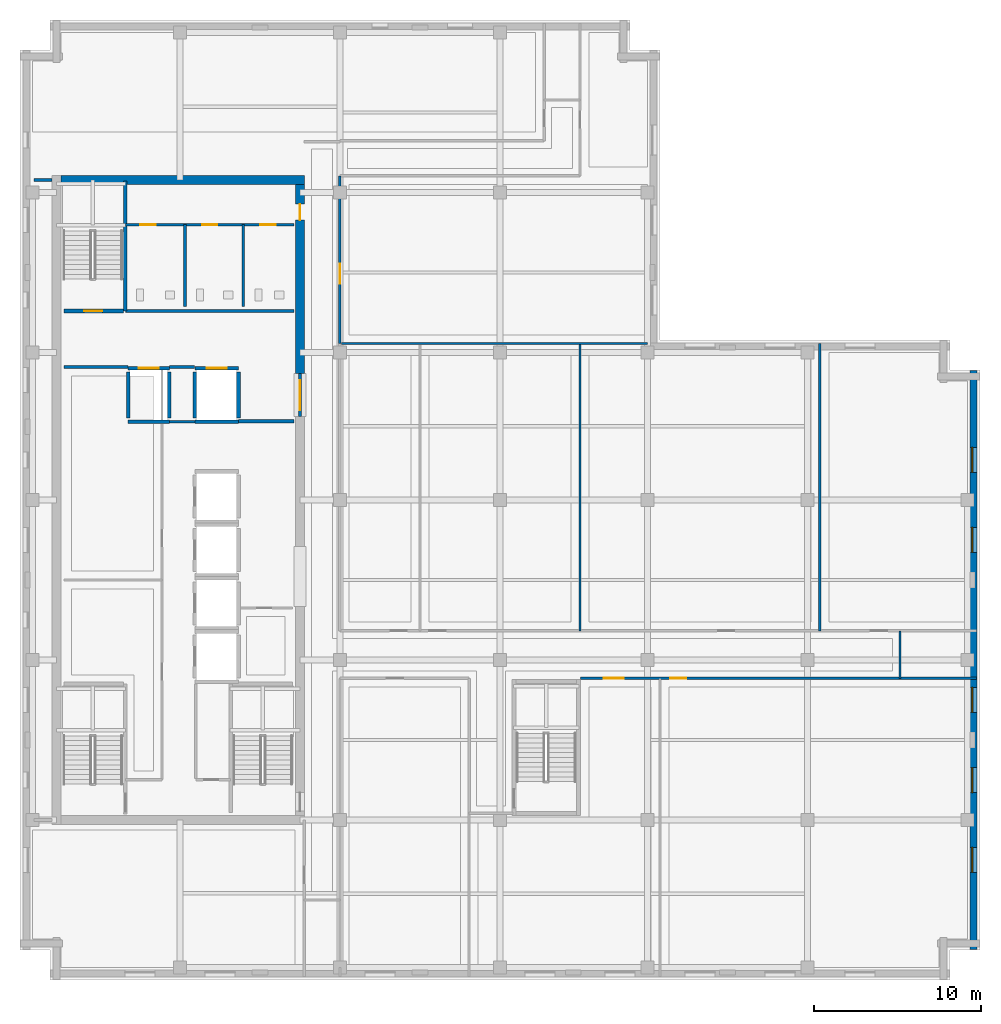
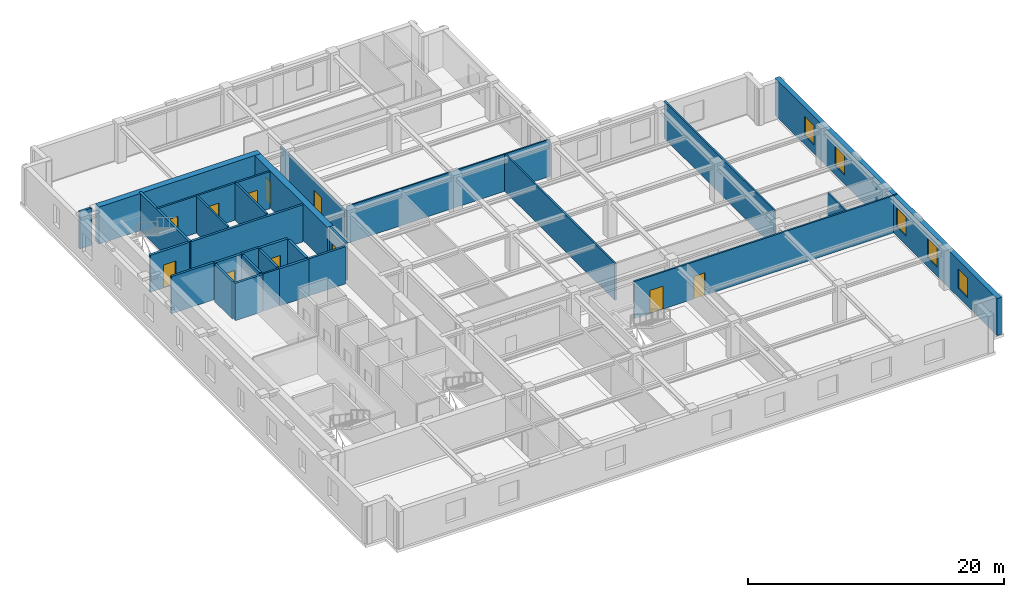
# One storey, part 5 of 10: 29 walls, 11 doors, 5 windows, 16 openings.
"""IFC4 building model written with IfcOpenShell, lengths in metres."""

from ifc_helpers import new_model, si_unit, direction, frame, frame_2d, origin, place, context, subcontext, project, spatial, rectangle, extrude, material, layer, layer_set, type_object, element, fill, save


model = new_model("IFC4")

# Units and contexts
model_context = context("Model", 3, precision=1e-05, world=origin(), true_north=direction((0.0, 1.0)))
body_context = subcontext(model_context, "Body", "Model", "MODEL_VIEW")
ifc_project = project(units=[si_unit("LENGTHUNIT", "METRE"), si_unit("AREAUNIT", "SQUARE_METRE"), si_unit("VOLUMEUNIT", "CUBIC_METRE"), si_unit("PLANEANGLEUNIT", "RADIAN"), si_unit("MASSUNIT", "GRAM", prefix="KILO")], contexts=[model_context])

# Site, building, storey
site_placement = place(None, origin())
site = spatial("IfcSite", under=ifc_project, at=site_placement, CompositionType="ELEMENT")
building_placement = place(site_placement, origin())
building = spatial("IfcBuilding", under=site, at=building_placement, Name="Norrvale University Quadrangle", CompositionType="ELEMENT")
storey_placement = place(building_placement, frame((0.0, 0.0, 233.199951171875)))
storey = spatial("IfcBuildingStorey", under=building, at=storey_placement, Name="L59", CompositionType="ELEMENT", Elevation=233.199951171875)

# Wall, openings, windows
ifc_material_1 = material(Name="Buff Norman Clay Brick Masonry", Category="masonry")
ifc_layer_1 = layer(ifc_material_1, 0.419921875, Name="Buff Norman Clay Brick Masonry")
ifc_layer_set_1 = layer_set([ifc_layer_1], Name="Buff Norman Clay Brick Masonry")
wall_type_1 = type_object("IfcWallType", Name="Wall Buff Brick 420", PredefinedType="SOLIDWALL", material=ifc_layer_set_1)
wall_1_placement = place(storey_placement, frame((57.2099609375, 1.840087890625, 0.0), z_axis=(0.0, 0.0, 1.0), x_axis=(0.0, 1.0, 0.0)))
wall_1 = element("IfcWall", 1, at=wall_1_placement, inside=storey, type_object=wall_type_1, Name="Exterior Brick Facade Wall L59-04.1", PredefinedType="SOLIDWALL", context=body_context, shape_type="SweptSolid", body=[
    extrude(rectangle(XDim=34.719970703125, YDim=0.419921875, at=frame_2d((17.35986328125, 0.0))), origin(), (0.0, 0.0, 1.0), 3.5400390625),
])
opening_1_placement = place(wall_1_placement, frame((4.610107421875, 0.0, 0.85009765625)))
opening_1 = element("IfcOpeningElement", 2, at=opening_1_placement, cuts=wall_1, Name="Opening W03", PredefinedType="OPENING", context=body_context, shape_type="SweptSolid", body=[
    extrude(rectangle(XDim=1.5, YDim=1.85009765625, at=frame_2d((0.75, 0.925048828125))), frame((0.0, 0.221923828125, 0.0), z_axis=(0.0, -1.0, 0.0), x_axis=(1.0, 0.0, 0.0)), (0.0, 0.0, 1.0), 0.44384765625),
])
opening_2_placement = place(wall_1_placement, frame((9.409912109375, 0.0, 0.85009765625)))
opening_2 = element("IfcOpeningElement", 3, at=opening_2_placement, cuts=wall_1, Name="Opening W03", PredefinedType="OPENING", context=body_context, shape_type="SweptSolid", body=[
    extrude(rectangle(XDim=1.5, YDim=1.85009765625, at=frame_2d((0.75, 0.925048828125))), frame((0.0, 0.221923828125, 0.0), z_axis=(0.0, -1.0, 0.0), x_axis=(1.0, 0.0, 0.0)), (0.0, 0.0, 1.0), 0.44384765625),
])
opening_3_placement = place(wall_1_placement, frame((14.2099609375, 0.0, 0.85009765625)))
opening_3 = element("IfcOpeningElement", 4, at=opening_3_placement, cuts=wall_1, Name="Opening W03", PredefinedType="OPENING", context=body_context, shape_type="SweptSolid", body=[
    extrude(rectangle(XDim=1.5, YDim=1.85009765625, at=frame_2d((0.75, 0.925048828125))), frame((0.0, 0.221923828125, 0.0), z_axis=(0.0, -1.0, 0.0), x_axis=(1.0, 0.0, 0.0)), (0.0, 0.0, 1.0), 0.44384765625),
])
opening_4_placement = place(wall_1_placement, frame((23.81005859375, 0.0, 0.85009765625)))
opening_4 = element("IfcOpeningElement", 5, at=opening_4_placement, cuts=wall_1, Name="Opening W03", PredefinedType="OPENING", context=body_context, shape_type="SweptSolid", body=[
    extrude(rectangle(XDim=1.5, YDim=1.85009765625, at=frame_2d((0.75, 0.925048828125))), frame((0.0, 0.221923828125, 0.0), z_axis=(0.0, -1.0, 0.0), x_axis=(1.0, 0.0, 0.0)), (0.0, 0.0, 1.0), 0.44384765625),
])
opening_5_placement = place(wall_1_placement, frame((28.610107421875, 0.0, 0.85009765625)))
opening_5 = element("IfcOpeningElement", 6, at=opening_5_placement, cuts=wall_1, Name="Opening W03", PredefinedType="OPENING", context=body_context, shape_type="SweptSolid", body=[
    extrude(rectangle(XDim=1.5, YDim=1.85009765625, at=frame_2d((0.75, 0.925048828125))), frame((0.0, 0.221923828125, 0.0), z_axis=(0.0, -1.0, 0.0), x_axis=(1.0, 0.0, 0.0)), (0.0, 0.0, 1.0), 0.44384765625),
])
ifc_material_2 = material(Name="Triple Low-E Argon Glazing", Category="glass")
window_type = type_object("IfcWindowType", Name="Window Studio 1500x2300", PartitioningType="DOUBLE_PANEL_VERTICAL", PredefinedType="WINDOW", material=ifc_material_2)
window_1_placement = place(opening_1_placement, origin())
window_1 = element("IfcWindow", 7, at=window_1_placement, inside=storey, type_object=window_type, Name="Window Studio 1500x2300 WIN-L59-E04-1-01", OverallHeight=1.85009765625, OverallWidth=1.5, PartitioningType="DOUBLE_PANEL_VERTICAL", PredefinedType="WINDOW", context=body_context, shape_type="SweptSolid", body=[
    extrude(rectangle(XDim=1.5, YDim=1.85009765625, at=frame_2d((0.75, 0.925048828125))), frame((0.0, 0.110107421875, 0.0), z_axis=(0.0, -1.0, 0.0), x_axis=(1.0, 0.0, 0.0)), (0.0, 0.0, 1.0), 0.06005859375),
])
fill(opening_1, window_1)
window_2_placement = place(opening_2_placement, origin())
window_2 = element("IfcWindow", 8, at=window_2_placement, inside=storey, type_object=window_type, Name="Window Studio 1500x2300 WIN-L59-E04-1-02", OverallHeight=1.85009765625, OverallWidth=1.5, PartitioningType="DOUBLE_PANEL_VERTICAL", PredefinedType="WINDOW", context=body_context, shape_type="SweptSolid", body=[
    extrude(rectangle(XDim=1.5, YDim=1.85009765625, at=frame_2d((0.75, 0.925048828125))), frame((0.0, 0.110107421875, 0.0), z_axis=(0.0, -1.0, 0.0), x_axis=(1.0, 0.0, 0.0)), (0.0, 0.0, 1.0), 0.06005859375),
])
fill(opening_2, window_2)
window_3_placement = place(opening_3_placement, origin())
window_3 = element("IfcWindow", 9, at=window_3_placement, inside=storey, type_object=window_type, Name="Window Studio 1500x2300 WIN-L59-E04-1-03", OverallHeight=1.85009765625, OverallWidth=1.5, PartitioningType="DOUBLE_PANEL_VERTICAL", PredefinedType="WINDOW", context=body_context, shape_type="SweptSolid", body=[
    extrude(rectangle(XDim=1.5, YDim=1.85009765625, at=frame_2d((0.75, 0.925048828125))), frame((0.0, 0.110107421875, 0.0), z_axis=(0.0, -1.0, 0.0), x_axis=(1.0, 0.0, 0.0)), (0.0, 0.0, 1.0), 0.06005859375),
])
fill(opening_3, window_3)
window_4_placement = place(opening_4_placement, origin())
window_4 = element("IfcWindow", 10, at=window_4_placement, inside=storey, type_object=window_type, Name="Window Studio 1500x2300 WIN-L59-E04-1-04", OverallHeight=1.85009765625, OverallWidth=1.5, PartitioningType="DOUBLE_PANEL_VERTICAL", PredefinedType="WINDOW", context=body_context, shape_type="SweptSolid", body=[
    extrude(rectangle(XDim=1.5, YDim=1.85009765625, at=frame_2d((0.75, 0.925048828125))), frame((0.0, 0.110107421875, 0.0), z_axis=(0.0, -1.0, 0.0), x_axis=(1.0, 0.0, 0.0)), (0.0, 0.0, 1.0), 0.06005859375),
])
fill(opening_4, window_4)
window_5_placement = place(opening_5_placement, origin())
window_5 = element("IfcWindow", 11, at=window_5_placement, inside=storey, type_object=window_type, Name="Window Studio 1500x2300 WIN-L59-E04-1-05", OverallHeight=1.85009765625, OverallWidth=1.5, PartitioningType="DOUBLE_PANEL_VERTICAL", PredefinedType="WINDOW", context=body_context, shape_type="SweptSolid", body=[
    extrude(rectangle(XDim=1.5, YDim=1.85009765625, at=frame_2d((0.75, 0.925048828125))), frame((0.0, 0.110107421875, 0.0), z_axis=(0.0, -1.0, 0.0), x_axis=(1.0, 0.0, 0.0)), (0.0, 0.0, 1.0), 0.06005859375),
])
fill(opening_5, window_5)

# Wall
ifc_material_3 = material(Name="Concrete C60/75", Category="concrete")
ifc_layer_2 = layer(ifc_material_3, 0.550048828125, Name="Concrete C60/75")
ifc_layer_set_2 = layer_set([ifc_layer_2], Name="Concrete C60/75")
wall_type_2 = type_object("IfcWallType", Name="Wall Core 550", PredefinedType="SHEAR", material=ifc_layer_set_2)
wall_2_placement = place(storey_placement, frame((2.47509765625, 48.0, 0.0), z_axis=(0.0, 0.0, 1.0), x_axis=(1.0, 0.0, 0.0)))
element("IfcWall", 12, at=wall_2_placement, inside=storey, type_object=wall_type_2, Name="Tower Core Shear Wall L59-N", PredefinedType="SHEAR", context=body_context, shape_type="SweptSolid", body=[
    extrude(rectangle(XDim=14.599853515625, YDim=0.550048828125, at=frame_2d((7.2998046875, 0.0))), origin(), (0.0, 0.0, 1.0), 3.5400390625),
])

# Wall, opening, door
wall_3_placement = place(storey_placement, frame((16.800048828125, 36.39990234375, 0.0), z_axis=(0.0, 0.0, 1.0), x_axis=(0.0, 1.0, 0.0)))
wall_3 = element("IfcWall", 13, at=wall_3_placement, inside=storey, type_object=wall_type_2, Name="Tower Core Shear Wall L59-E3", PredefinedType="SHEAR", context=body_context, shape_type="SweptSolid", body=[
    extrude(rectangle(XDim=11.3251953125, YDim=0.550048828125, at=frame_2d((5.66259765625, 0.0))), origin(), (0.0, 0.0, 1.0), 3.5400390625),
])
opening_6_placement = place(wall_3_placement, frame((9.199951171875, 0.0, 0.0)))
opening_6 = element("IfcOpeningElement", 14, at=opening_6_placement, cuts=wall_3, Name="Opening D07", PredefinedType="OPENING", context=body_context, shape_type="SweptSolid", body=[
    extrude(rectangle(XDim=0.949951171875, YDim=2.14990234375, at=frame_2d((0.47509765625, 1.074951171875))), frame((0.0, 0.287109375, 0.0), z_axis=(0.0, -1.0, 0.0), x_axis=(1.0, 0.0, 0.0)), (0.0, 0.0, 1.0), 0.573974609375),
])
ifc_material_4 = material(Name="Solid-Core Maple Door", Category="wood")
door_type_1 = type_object("IfcDoorType", Name="Door Office 950x2150", OperationType="NOTDEFINED", PredefinedType="DOOR", material=ifc_material_4)
door_1_placement = place(opening_6_placement, origin())
door_1 = element("IfcDoor", 15, at=door_1_placement, inside=storey, type_object=door_type_1, Name="Door Office 950x2150 DR-L59-NECORR", OperationType="SINGLE_SWING_RIGHT", OverallHeight=2.14990234375, OverallWidth=0.949951171875, PredefinedType="DOOR", context=body_context, shape_type="SweptSolid", body=[
    extrude(rectangle(XDim=0.949951171875, YDim=2.14990234375, at=frame_2d((0.47509765625, 1.074951171875))), frame((0.0, 0.02490234375, 0.0), z_axis=(0.0, -1.0, 0.0), x_axis=(1.0, 0.0, 0.0)), (0.0, 0.0, 1.0), 0.050048828125),
])
fill(opening_6, door_1)

# Walls
ifc_material_5 = material(Name="Standard Academic Gypsum Partition")
ifc_layer_3 = layer(ifc_material_5, 0.125, Name="Standard Academic Gypsum Partition")
ifc_layer_set_3 = layer_set([ifc_layer_3], Name="Standard Academic Gypsum Partition")
wall_type_3 = type_object("IfcWallType", Name="Wall Gypsum Academic 125", PredefinedType="PARTITIONING", material=ifc_layer_set_3)
wall_4_placement = place(storey_placement, frame((19.280029296875, 38.179931640625, 0.0), z_axis=(0.0, 0.0, 1.0), x_axis=(1.0, 0.0, 0.0)))
element("IfcWall", 16, at=wall_4_placement, inside=storey, type_object=wall_type_3, Name="Interior Partition WL-L59-ME-N", PredefinedType="PARTITIONING", context=body_context, shape_type="SweptSolid", body=[
    extrude(rectangle(XDim=18.369873046875, YDim=0.125, at=frame_2d((9.18505859375, 0.0))), origin(), (0.0, 0.0, 1.0), 3.5400390625),
])
ifc_material_6 = material(Name="Fire-Rated Gypsum Stud Partition")
ifc_layer_4 = layer(ifc_material_6, 0.14990234375, Name="Fire-Rated Gypsum Stud Partition")
ifc_layer_set_4 = layer_set([ifc_layer_4], Name="Fire-Rated Gypsum Stud Partition")
wall_type_4 = type_object("IfcWallType", Name="Wall Gypsum Corridor 150", PredefinedType="PARTITIONING", material=ifc_layer_set_4)
wall_5_placement = place(storey_placement, frame((8.965087890625, 33.489990234375, 0.0), z_axis=(0.0, 0.0, 1.0), x_axis=(1.0, 0.0, 0.0)))
element("IfcWall", 17, at=wall_5_placement, inside=storey, type_object=wall_type_4, Name="Interior Partition WL-L59-LL3", PredefinedType="PARTITIONING", context=body_context, shape_type="SweptSolid", body=[
    extrude(rectangle(XDim=1.52001953125, YDim=0.14990234375, at=frame_2d((0.760009765625, 0.0))), origin(), (0.0, 0.0, 1.0), 3.5400390625),
])
wall_6_placement = place(storey_placement, frame((52.800048828125, 18.10009765625, 0.0), z_axis=(0.0, 0.0, 1.0), x_axis=(0.0, 1.0, 0.0)))
element("IfcWall", 18, at=wall_6_placement, inside=storey, type_object=wall_type_4, Name="Interior Partition WL-L59-CESP-E", PredefinedType="PARTITIONING", context=body_context, shape_type="SweptSolid", body=[
    extrude(rectangle(XDim=2.849853515625, YDim=0.14990234375, at=frame_2d((1.4248046875, 0.0))), origin(), (0.0, 0.0, 1.0), 3.5400390625),
])

# Wall, openings, doors
wall_7_placement = place(storey_placement, frame((33.6201171875, 18.10009765625, 0.0), z_axis=(0.0, 0.0, 1.0), x_axis=(1.0, 0.0, 0.0)))
wall_7 = element("IfcWall", 19, at=wall_7_placement, inside=storey, type_object=wall_type_4, Name="Interior Partition WL-L59-SEW2", PredefinedType="PARTITIONING", context=body_context, shape_type="SweptSolid", body=[
    extrude(rectangle(XDim=23.759765625, YDim=0.14990234375, at=frame_2d((11.8798828125, 0.0))), origin(), (0.0, 0.0, 1.0), 3.5400390625),
])
opening_7_placement = place(wall_7_placement, frame((1.39990234375, 0.0, 0.0)))
opening_7 = element("IfcOpeningElement", 20, at=opening_7_placement, cuts=wall_7, Name="Opening D05", PredefinedType="OPENING", context=body_context, shape_type="SweptSolid", body=[
    extrude(rectangle(XDim=1.199951171875, YDim=2.199951171875, at=frame_2d((0.60009765625, 1.10009765625))), frame((0.0, 0.0869140625, 0.0), z_axis=(0.0, -1.0, 0.0), x_axis=(1.0, 0.0, 0.0)), (0.0, 0.0, 1.0), 0.173828125),
])
opening_8_placement = place(wall_7_placement, frame((5.39990234375, 0.0, 0.0)))
opening_8 = element("IfcOpeningElement", 21, at=opening_8_placement, cuts=wall_7, Name="Opening D07", PredefinedType="OPENING", context=body_context, shape_type="SweptSolid", body=[
    extrude(rectangle(XDim=0.949951171875, YDim=2.14990234375, at=frame_2d((0.47509765625, 1.074951171875))), frame((0.0, 0.0869140625, 0.0), z_axis=(0.0, -1.0, 0.0), x_axis=(1.0, 0.0, 0.0)), (0.0, 0.0, 1.0), 0.173828125),
])
ifc_material_7 = material(Name="Acoustic Oak Classroom Door", Category="wood")
door_type_2 = type_object("IfcDoorType", Name="Door Classroom 1200x2200", OperationType="NOTDEFINED", PredefinedType="DOOR", material=ifc_material_7)
door_2_placement = place(opening_7_placement, origin())
door_2 = element("IfcDoor", 22, at=door_2_placement, inside=storey, type_object=door_type_2, Name="Door Classroom 1200x2200 DR-L59-SE2", OperationType="SINGLE_SWING_RIGHT", OverallHeight=2.199951171875, OverallWidth=1.199951171875, PredefinedType="DOOR", context=body_context, shape_type="SweptSolid", body=[
    extrude(rectangle(XDim=1.199951171875, YDim=2.199951171875, at=frame_2d((0.60009765625, 1.10009765625))), frame((0.0, 0.02490234375, 0.0), z_axis=(0.0, -1.0, 0.0), x_axis=(1.0, 0.0, 0.0)), (0.0, 0.0, 1.0), 0.050048828125),
])
fill(opening_7, door_2)
door_3_placement = place(opening_8_placement, origin())
door_3 = element("IfcDoor", 23, at=door_3_placement, inside=storey, type_object=door_type_1, Name="Door Office 950x2150 DR-L59-SE3", OperationType="SINGLE_SWING_LEFT", OverallHeight=2.14990234375, OverallWidth=0.949951171875, PredefinedType="DOOR", context=body_context, shape_type="SweptSolid", body=[
    extrude(rectangle(XDim=0.949951171875, YDim=2.14990234375, at=frame_2d((0.47509765625, 1.074951171875))), frame((0.0, 0.02490234375, 0.0), z_axis=(0.0, -1.0, 0.0), x_axis=(1.0, 0.0, 0.0)), (0.0, 0.0, 1.0), 0.050048828125),
])
fill(opening_8, door_3)

# Walls
for number, where, z_axis, x_axis, name in (
    (24, (33.60009765625, 20.949951171875, 0.0), (0.0, 0.0, 1.0), (0.0, 1.0, 0.0), "Interior Partition WL-L59-MEP02"),
    (25, (48.0, 20.949951171875, 0.0), (0.0, 0.0, 1.0), (0.0, 1.0, 0.0), "Interior Partition WL-L59-MEP03"),
):
    element("IfcWall", number, at=place(storey_placement, frame(where, z_axis=z_axis, x_axis=x_axis)), inside=storey, type_object=wall_type_4, Name=name, PredefinedType="PARTITIONING", context=body_context, shape_type="SweptSolid", body=[
        extrude(rectangle(XDim=17.22998046875, YDim=0.14990234375, at=frame_2d((8.614990234375, 0.0))), origin(), (0.0, 0.0, 1.0), 3.5400390625),
    ])

# Wall, opening, door
wall_8_placement = place(storey_placement, frame((19.199951171875, 38.179931640625, 0.0), z_axis=(0.0, 0.0, 1.0), x_axis=(0.0, 1.0, 0.0)))
wall_8 = element("IfcWall", 26, at=wall_8_placement, inside=storey, type_object=wall_type_4, Name="Interior Partition WL-L59-MNECW", PredefinedType="PARTITIONING", context=body_context, shape_type="SweptSolid", body=[
    extrude(rectangle(XDim=10.070068359375, YDim=0.14990234375, at=frame_2d((5.03515625, 0.0))), origin(), (0.0, 0.0, 1.0), 3.18408203125),
])
opening_9_placement = place(wall_8_placement, frame((3.60009765625, 0.0, 0.0)))
opening_9 = element("IfcOpeningElement", 27, at=opening_9_placement, cuts=wall_8, Name="Opening D05", PredefinedType="OPENING", context=body_context, shape_type="SweptSolid", body=[
    extrude(rectangle(XDim=1.199951171875, YDim=2.199951171875, at=frame_2d((0.60009765625, 1.10009765625))), frame((0.0, 0.0869140625, 0.0), z_axis=(0.0, -1.0, 0.0), x_axis=(1.0, 0.0, 0.0)), (0.0, 0.0, 1.0), 0.173828125),
])
door_4_placement = place(opening_9_placement, origin())
door_4 = element("IfcDoor", 28, at=door_4_placement, inside=storey, type_object=door_type_2, Name="Door Classroom 1200x2200 DR-L59-MNE01", OperationType="SINGLE_SWING_RIGHT", OverallHeight=2.199951171875, OverallWidth=1.199951171875, PredefinedType="DOOR", context=body_context, shape_type="SweptSolid", body=[
    extrude(rectangle(XDim=1.199951171875, YDim=2.199951171875, at=frame_2d((0.60009765625, 1.10009765625))), frame((0.0, 0.02490234375, 0.0), z_axis=(0.0, -1.0, 0.0), x_axis=(1.0, 0.0, 0.0)), (0.0, 0.0, 1.0), 0.050048828125),
])
fill(opening_9, door_4)

# Wall, openings, doors
ifc_material_8 = material(Name="Sanitary Chase Gypsum Partition")
ifc_layer_5 = layer(ifc_material_8, 0.1650390625, Name="Sanitary Chase Gypsum Partition")
ifc_layer_set_5 = layer_set([ifc_layer_5], Name="Sanitary Chase Gypsum Partition")
wall_type_5 = type_object("IfcWallType", Name="Wall Gypsum Sanitary 165", PredefinedType="PLUMBINGWALL", material=ifc_layer_set_5)
wall_9_placement = place(storey_placement, frame((6.320068359375, 45.320068359375, 0.0), z_axis=(0.0, 0.0, 1.0), x_axis=(1.0, 0.0, 0.0)))
wall_9 = element("IfcWall", 29, at=wall_9_placement, inside=storey, type_object=wall_type_5, Name="Interior Partition WL-L59-WCN", PredefinedType="PLUMBINGWALL", context=body_context, shape_type="SweptSolid", body=[
    extrude(rectangle(XDim=10.1298828125, YDim=0.1650390625, at=frame_2d((5.06494140625, 0.0))), origin(), (0.0, 0.0, 1.0), 3.5400390625),
])
opening_10_placement = place(wall_9_placement, frame((0.89990234375, 0.0, 0.0)))
opening_10 = element("IfcOpeningElement", 30, at=opening_10_placement, cuts=wall_9, Name="Opening D08", PredefinedType="OPENING", context=body_context, shape_type="SweptSolid", body=[
    extrude(rectangle(XDim=0.919921875, YDim=2.14990234375, at=frame_2d((0.4599609375, 1.074951171875))), frame((0.0, 0.094482421875, 0.0), z_axis=(0.0, -1.0, 0.0), x_axis=(1.0, 0.0, 0.0)), (0.0, 0.0, 1.0), 0.18896484375),
])
opening_11_placement = place(wall_9_placement, frame((4.60009765625, 0.0, 0.0)))
opening_11 = element("IfcOpeningElement", 31, at=opening_11_placement, cuts=wall_9, Name="Opening D08", PredefinedType="OPENING", context=body_context, shape_type="SweptSolid", body=[
    extrude(rectangle(XDim=0.919921875, YDim=2.14990234375, at=frame_2d((0.4599609375, 1.074951171875))), frame((0.0, 0.094482421875, 0.0), z_axis=(0.0, -1.0, 0.0), x_axis=(1.0, 0.0, 0.0)), (0.0, 0.0, 1.0), 0.18896484375),
])
opening_12_placement = place(wall_9_placement, frame((8.10009765625, 0.0, 0.0)))
opening_12 = element("IfcOpeningElement", 32, at=opening_12_placement, cuts=wall_9, Name="Opening D08", PredefinedType="OPENING", context=body_context, shape_type="SweptSolid", body=[
    extrude(rectangle(XDim=0.919921875, YDim=2.14990234375, at=frame_2d((0.4599609375, 1.074951171875))), frame((0.0, 0.094482421875, 0.0), z_axis=(0.0, -1.0, 0.0), x_axis=(1.0, 0.0, 0.0)), (0.0, 0.0, 1.0), 0.18896484375),
])
ifc_material_9 = material(Name="Laminate Washroom Door", Category="wood")
door_type_3 = type_object("IfcDoorType", Name="Door Washroom 920x2150", OperationType="NOTDEFINED", PredefinedType="DOOR", material=ifc_material_9)
door_5_placement = place(opening_10_placement, origin())
door_5 = element("IfcDoor", 33, at=door_5_placement, inside=storey, type_object=door_type_3, Name="Door Washroom 920x2150 DR-L59-WC1", OperationType="SINGLE_SWING_LEFT", OverallHeight=2.14990234375, OverallWidth=0.919921875, PredefinedType="DOOR", context=body_context, shape_type="SweptSolid", body=[
    extrude(rectangle(XDim=0.919921875, YDim=2.14990234375, at=frame_2d((0.4599609375, 1.074951171875))), frame((0.0, 0.02490234375, 0.0), z_axis=(0.0, -1.0, 0.0), x_axis=(1.0, 0.0, 0.0)), (0.0, 0.0, 1.0), 0.050048828125),
])
fill(opening_10, door_5)
door_6_placement = place(opening_11_placement, origin())
door_6 = element("IfcDoor", 34, at=door_6_placement, inside=storey, type_object=door_type_3, Name="Door Washroom 920x2150 DR-L59-WC2", OperationType="SINGLE_SWING_RIGHT", OverallHeight=2.14990234375, OverallWidth=0.919921875, PredefinedType="DOOR", context=body_context, shape_type="SweptSolid", body=[
    extrude(rectangle(XDim=0.919921875, YDim=2.14990234375, at=frame_2d((0.4599609375, 1.074951171875))), frame((0.0, 0.02490234375, 0.0), z_axis=(0.0, -1.0, 0.0), x_axis=(1.0, 0.0, 0.0)), (0.0, 0.0, 1.0), 0.050048828125),
])
fill(opening_11, door_6)
door_7_placement = place(opening_12_placement, origin())
door_7 = element("IfcDoor", 35, at=door_7_placement, inside=storey, type_object=door_type_3, Name="Door Washroom 920x2150 DR-L59-WC3", OperationType="SINGLE_SWING_LEFT", OverallHeight=2.14990234375, OverallWidth=0.919921875, PredefinedType="DOOR", context=body_context, shape_type="SweptSolid", body=[
    extrude(rectangle(XDim=0.919921875, YDim=2.14990234375, at=frame_2d((0.4599609375, 1.074951171875))), frame((0.0, 0.02490234375, 0.0), z_axis=(0.0, -1.0, 0.0), x_axis=(1.0, 0.0, 0.0)), (0.0, 0.0, 1.0), 0.050048828125),
])
fill(opening_12, door_7)

# Walls
for number, where, z_axis, x_axis, name in (
    (36, (9.89990234375, 40.39990234375, 0.0), (0.0, 0.0, 1.0), (0.0, 1.0, 0.0), "Interior Partition WL-L59-WCM1"),
    (37, (13.39990234375, 40.39990234375, 0.0), (0.0, 0.0, 1.0), (0.0, 1.0, 0.0), "Interior Partition WL-L59-WCM2"),
):
    element("IfcWall", number, at=place(storey_placement, frame(where, z_axis=z_axis, x_axis=x_axis)), inside=storey, type_object=wall_type_5, Name=name, PredefinedType="PLUMBINGWALL", context=body_context, shape_type="SweptSolid", body=[
        extrude(rectangle(XDim=4.920166015625, YDim=0.1650390625, at=frame_2d((2.4599609375, 0.0))), origin(), (0.0, 0.0, 1.0), 3.5400390625),
    ])
ifc_material_10 = material(Name="Concrete Blockwork 20 MPa Rated Wall", Category="masonry")
ifc_layer_6 = layer(ifc_material_10, 0.199951171875, Name="Concrete Blockwork 20 MPa Rated Wall")
ifc_layer_set_6 = layer_set([ifc_layer_6], Name="Concrete Blockwork 20 MPa Rated Wall")
wall_type_6 = type_object("IfcWallType", Name="Wall Lobby 200", PredefinedType="SOLIDWALL", material=ifc_layer_set_6)
wall_10_placement = place(storey_placement, frame((2.64990234375, 36.780029296875, 0.0), z_axis=(0.0, 0.0, 1.0), x_axis=(1.0, 0.0, 0.0)))
element("IfcWall", 38, at=wall_10_placement, inside=storey, type_object=wall_type_6, Name="Interior Partition WL-L59-FF1", PredefinedType="SOLIDWALL", context=body_context, shape_type="SweptSolid", body=[
    extrude(rectangle(XDim=3.830078125, YDim=0.199951171875, at=frame_2d((1.9150390625, 0.0))), origin(), (0.0, 0.0, 1.0), 3.5400390625),
])
wall_11_placement = place(storey_placement, frame((8.969970703125, 36.780029296875, 0.0), z_axis=(0.0, 0.0, 1.0), x_axis=(1.0, 0.0, 0.0)))
element("IfcWall", 39, at=wall_11_placement, inside=storey, type_object=wall_type_6, Name="Interior Partition WL-L59-FF2", PredefinedType="SOLIDWALL", context=body_context, shape_type="SweptSolid", body=[
    extrude(rectangle(XDim=1.510009765625, YDim=0.199951171875, at=frame_2d((0.7548828125, 0.0))), origin(), (0.0, 0.0, 1.0), 3.5400390625),
])
wall_12_placement = place(storey_placement, frame((13.1201171875, 33.52001953125, 0.0), z_axis=(0.0, 0.0, 1.0), x_axis=(1.0, 0.0, 0.0)))
element("IfcWall", 40, at=wall_12_placement, inside=storey, type_object=wall_type_6, Name="Interior Partition WL-L59-FF3", PredefinedType="SOLIDWALL", context=body_context, shape_type="SweptSolid", body=[
    extrude(rectangle(XDim=3.329833984375, YDim=0.199951171875, at=frame_2d((1.6650390625, 0.0))), origin(), (0.0, 0.0, 1.0), 3.5400390625),
])
wall_13_placement = place(storey_placement, frame((6.320068359375, 40.139892578125, 0.0), z_axis=(0.0, 0.0, 1.0), x_axis=(1.0, 0.0, 0.0)))
element("IfcWall", 41, at=wall_13_placement, inside=storey, type_object=wall_type_6, Name="Interior Partition WL-L59-FF4", PredefinedType="SOLIDWALL", context=body_context, shape_type="SweptSolid", body=[
    extrude(rectangle(XDim=10.1298828125, YDim=0.199951171875, at=frame_2d((5.06494140625, 0.0))), origin(), (0.0, 0.0, 1.0), 3.5400390625),
])

# Wall, opening, door
wall_14_placement = place(storey_placement, frame((16.800048828125, 33.800048828125, 0.0), z_axis=(0.0, 0.0, 1.0), x_axis=(0.0, 1.0, 0.0)))
wall_14 = element("IfcWall", 42, at=wall_14_placement, inside=storey, type_object=wall_type_6, Name="Interior Partition WL-L59-FFP", PredefinedType="SOLIDWALL", context=body_context, shape_type="SweptSolid", body=[
    extrude(rectangle(XDim=2.599853515625, YDim=0.199951171875, at=frame_2d((1.2998046875, 0.0))), origin(), (0.0, 0.0, 1.0), 3.5400390625),
])
opening_13_placement = place(wall_14_placement, frame((0.39990234375, 0.0, 0.0)))
opening_13 = element("IfcOpeningElement", 43, at=opening_13_placement, cuts=wall_14, Name="Opening D03", PredefinedType="OPENING", context=body_context, shape_type="SweptSolid", body=[
    extrude(rectangle(XDim=1.800048828125, YDim=2.199951171875, at=frame_2d((0.89990234375, 1.10009765625))), frame((0.0, 0.112060546875, 0.0), z_axis=(0.0, -1.0, 0.0), x_axis=(1.0, 0.0, 0.0)), (0.0, 0.0, 1.0), 0.223876953125),
])
ifc_material_11 = material(Name="Hollow Steel 350W Fire Door", Category="steel")
door_type_4 = type_object("IfcDoorType", Name="Door Fire Lobby 1800x2200", OperationType="DOUBLE_DOOR_SINGLE_SWING", PredefinedType="DOOR", material=ifc_material_11)
door_8_placement = place(opening_13_placement, origin())
door_8 = element("IfcDoor", 44, at=door_8_placement, inside=storey, type_object=door_type_4, Name="Door Fire Lobby 1800x2200 DR-L59-FFP", OperationType="DOUBLE_DOOR_SINGLE_SWING", OverallHeight=2.199951171875, OverallWidth=1.800048828125, PredefinedType="DOOR", context=body_context, shape_type="SweptSolid", body=[
    extrude(rectangle(XDim=1.800048828125, YDim=2.199951171875, at=frame_2d((0.89990234375, 1.10009765625))), frame((0.0, 0.02490234375, 0.0), z_axis=(0.0, -1.0, 0.0), x_axis=(1.0, 0.0, 0.0)), (0.0, 0.0, 1.0), 0.050048828125),
])
fill(opening_13, door_8)

# Wall
wall_15_placement = place(storey_placement, frame((0.85009765625, 48.0, 0.0), z_axis=(0.0, 0.0, 1.0), x_axis=(1.0, 0.0, 0.0)))
element("IfcWall", 45, at=wall_15_placement, inside=storey, type_object=wall_type_6, Name="Interior Partition WL-L59-CWRET-N", PredefinedType="SOLIDWALL", context=body_context, shape_type="SweptSolid", body=[
    extrude(rectangle(XDim=1.06982421875, YDim=0.199951171875, at=frame_2d((0.534912109375, 0.0))), origin(), (0.0, 0.0, 1.0), 3.5400390625),
])

# Wall, opening, door
ifc_material_12 = material(Name="Concrete Blockwork 20 MPa Fire Shaft", Category="masonry")
ifc_layer_7 = layer(ifc_material_12, 0.219970703125, Name="Concrete Blockwork 20 MPa Fire Shaft")
ifc_layer_set_7 = layer_set([ifc_layer_7], Name="Concrete Blockwork 20 MPa Fire Shaft")
wall_type_7 = type_object("IfcWallType", Name="Wall Shaft 220", PredefinedType="SOLIDWALL", material=ifc_layer_set_7)
wall_16_placement = place(storey_placement, frame((2.64990234375, 40.139892578125, 0.0), z_axis=(0.0, 0.0, 1.0), x_axis=(1.0, 0.0, 0.0)))
wall_16 = element("IfcWall", 46, at=wall_16_placement, inside=storey, type_object=wall_type_7, Name="Stair ST-02 South Shaft Wall L59", PredefinedType="SOLIDWALL", context=body_context, shape_type="SweptSolid", body=[
    extrude(rectangle(XDim=3.550048828125, YDim=0.219970703125, at=frame_2d((1.77490234375, 0.0))), origin(), (0.0, 0.0, 1.0), 3.5400390625),
])
opening_14_placement = place(wall_16_placement, frame((1.199951171875, 0.0, 0.0)))
opening_14 = element("IfcOpeningElement", 47, at=opening_14_placement, cuts=wall_16, Name="Opening D02", PredefinedType="OPENING", context=body_context, shape_type="SweptSolid", body=[
    extrude(rectangle(XDim=1.10009765625, YDim=2.199951171875, at=frame_2d((0.550048828125, 1.10009765625))), frame((0.0, 0.1220703125, 0.0), z_axis=(0.0, -1.0, 0.0), x_axis=(1.0, 0.0, 0.0)), (0.0, 0.0, 1.0), 0.243896484375),
])
door_type_5 = type_object("IfcDoorType", Name="Door Stair Exit 1100x2200", OperationType="NOTDEFINED", PredefinedType="DOOR", material=ifc_material_11)
door_9_placement = place(opening_14_placement, origin())
door_9 = element("IfcDoor", 48, at=door_9_placement, inside=storey, type_object=door_type_5, Name="Door Stair Exit 1100x2200 DR-L59-ST02", OperationType="SINGLE_SWING_LEFT", OverallHeight=2.199951171875, OverallWidth=1.10009765625, PredefinedType="DOOR", context=body_context, shape_type="SweptSolid", body=[
    extrude(rectangle(XDim=1.10009765625, YDim=2.199951171875, at=frame_2d((0.550048828125, 1.10009765625))), frame((0.0, 0.02490234375, 0.0), z_axis=(0.0, -1.0, 0.0), x_axis=(1.0, 0.0, 0.0)), (0.0, 0.0, 1.0), 0.050048828125),
])
fill(opening_14, door_9)

# Walls
wall_17_placement = place(storey_placement, frame((6.31005859375, 40.139892578125, 0.0), z_axis=(0.0, 0.0, 1.0), x_axis=(0.0, 1.0, 0.0)))
element("IfcWall", 49, at=wall_17_placement, inside=storey, type_object=wall_type_7, Name="Stair ST-02 East Shaft Wall L59", PredefinedType="SOLIDWALL", context=body_context, shape_type="SweptSolid", body=[
    extrude(rectangle(XDim=7.81005859375, YDim=0.219970703125, at=frame_2d((3.905029296875, 0.0))), origin(), (0.0, 0.0, 1.0), 3.5400390625),
])
for number, where, z_axis, x_axis, name in (
    (50, (6.489990234375, 33.7099609375, 0.0), (0.0, 0.0, 1.0), (0.0, 1.0, 0.0), "Hoistway FFL-01 West Wall L59"),
    (51, (8.9599609375, 33.7099609375, 0.0), (0.0, 0.0, 1.0), (0.0, 1.0, 0.0), "Hoistway FFL-01 East Wall L59"),
):
    element("IfcWall", number, at=place(storey_placement, frame(where, z_axis=z_axis, x_axis=x_axis)), inside=storey, type_object=wall_type_7, Name=name, PredefinedType="SOLIDWALL", context=body_context, shape_type="SweptSolid", body=[
        extrude(rectangle(XDim=2.780029296875, YDim=0.219970703125, at=frame_2d((1.39013671875, 0.0))), origin(), (0.0, 0.0, 1.0), 3.5400390625),
    ])
wall_18_placement = place(storey_placement, frame((6.489990234375, 33.489990234375, 0.0), z_axis=(0.0, 0.0, 1.0), x_axis=(1.0, 0.0, 0.0)))
element("IfcWall", 52, at=wall_18_placement, inside=storey, type_object=wall_type_7, Name="Hoistway FFL-01 South Wall L59", PredefinedType="SOLIDWALL", context=body_context, shape_type="SweptSolid", body=[
    extrude(rectangle(XDim=2.469970703125, YDim=0.219970703125, at=frame_2d((1.23486328125, 0.0))), origin(), (0.0, 0.0, 1.0), 3.5400390625),
])

# Wall, opening, door
wall_19_placement = place(storey_placement, frame((6.489990234375, 36.7099609375, 0.0), z_axis=(0.0, 0.0, 1.0), x_axis=(1.0, 0.0, 0.0)))
wall_19 = element("IfcWall", 53, at=wall_19_placement, inside=storey, type_object=wall_type_7, Name="Hoistway FFL-01 North Wall L59", PredefinedType="SOLIDWALL", context=body_context, shape_type="SweptSolid", body=[
    extrude(rectangle(XDim=2.469970703125, YDim=0.219970703125, at=frame_2d((1.23486328125, 0.0))), origin(), (0.0, 0.0, 1.0), 3.5400390625),
])
opening_15_placement = place(wall_19_placement, frame((0.635009765625, 0.0, 0.0)))
opening_15 = element("IfcOpeningElement", 54, at=opening_15_placement, cuts=wall_19, Name="Opening LD2", PredefinedType="OPENING", context=body_context, shape_type="SweptSolid", body=[
    extrude(rectangle(XDim=1.199951171875, YDim=2.199951171875, at=frame_2d((0.60009765625, 1.10009765625))), frame((0.0, 0.1220703125, 0.0), z_axis=(0.0, -1.0, 0.0), x_axis=(1.0, 0.0, 0.0)), (0.0, 0.0, 1.0), 0.243896484375),
])
ifc_material_13 = material(Name="Stainless Steel 316L Firefighter Lift Door", Category="steel")
door_type_6 = type_object("IfcDoorType", Name="Door Fire Lift 1200x2200", OperationType="DOUBLE_DOOR_SLIDING", PredefinedType="DOOR", material=ifc_material_13)
door_10_placement = place(opening_15_placement, origin())
door_10 = element("IfcDoor", 55, at=door_10_placement, inside=storey, type_object=door_type_6, Name="Elevator Landing Door DR-L59-FFL-01", OperationType="DOUBLE_DOOR_SLIDING", OverallHeight=2.199951171875, OverallWidth=1.199951171875, PredefinedType="DOOR", context=body_context, shape_type="SweptSolid", body=[
    extrude(rectangle(XDim=1.199951171875, YDim=2.199951171875, at=frame_2d((0.60009765625, 1.10009765625))), frame((0.0, 0.02490234375, 0.0), z_axis=(0.0, -1.0, 0.0), x_axis=(1.0, 0.0, 0.0)), (0.0, 0.0, 1.0), 0.050048828125),
])
fill(opening_15, door_10)

# Walls
for number, where, z_axis, x_axis, name in (
    (56, (10.489990234375, 33.7099609375, 0.0), (0.0, 0.0, 1.0), (0.0, 1.0, 0.0), "Hoistway FFL-02 West Wall L59"),
    (57, (13.110107421875, 33.7099609375, 0.0), (0.0, 0.0, 1.0), (0.0, 1.0, 0.0), "Hoistway FFL-02 East Wall L59"),
):
    element("IfcWall", number, at=place(storey_placement, frame(where, z_axis=z_axis, x_axis=x_axis)), inside=storey, type_object=wall_type_7, Name=name, PredefinedType="SOLIDWALL", context=body_context, shape_type="SweptSolid", body=[
        extrude(rectangle(XDim=2.780029296875, YDim=0.219970703125, at=frame_2d((1.39013671875, 0.0))), origin(), (0.0, 0.0, 1.0), 3.5400390625),
    ])
wall_20_placement = place(storey_placement, frame((10.489990234375, 33.489990234375, 0.0), z_axis=(0.0, 0.0, 1.0), x_axis=(1.0, 0.0, 0.0)))
element("IfcWall", 58, at=wall_20_placement, inside=storey, type_object=wall_type_7, Name="Hoistway FFL-02 South Wall L59", PredefinedType="SOLIDWALL", context=body_context, shape_type="SweptSolid", body=[
    extrude(rectangle(XDim=2.6201171875, YDim=0.219970703125, at=frame_2d((1.31005859375, 0.0))), origin(), (0.0, 0.0, 1.0), 3.5400390625),
])

# Wall, opening, door
wall_21_placement = place(storey_placement, frame((10.489990234375, 36.7099609375, 0.0), z_axis=(0.0, 0.0, 1.0), x_axis=(1.0, 0.0, 0.0)))
wall_21 = element("IfcWall", 59, at=wall_21_placement, inside=storey, type_object=wall_type_7, Name="Hoistway FFL-02 North Wall L59", PredefinedType="SOLIDWALL", context=body_context, shape_type="SweptSolid", body=[
    extrude(rectangle(XDim=2.6201171875, YDim=0.219970703125, at=frame_2d((1.31005859375, 0.0))), origin(), (0.0, 0.0, 1.0), 3.5400390625),
])
opening_16_placement = place(wall_21_placement, frame((0.7099609375, 0.0, 0.0)))
opening_16 = element("IfcOpeningElement", 60, at=opening_16_placement, cuts=wall_21, Name="Opening LD2", PredefinedType="OPENING", context=body_context, shape_type="SweptSolid", body=[
    extrude(rectangle(XDim=1.199951171875, YDim=2.199951171875, at=frame_2d((0.60009765625, 1.10009765625))), frame((0.0, 0.1220703125, 0.0), z_axis=(0.0, -1.0, 0.0), x_axis=(1.0, 0.0, 0.0)), (0.0, 0.0, 1.0), 0.243896484375),
])
door_11_placement = place(opening_16_placement, origin())
door_11 = element("IfcDoor", 61, at=door_11_placement, inside=storey, type_object=door_type_6, Name="Elevator Landing Door DR-L59-FFL-02", OperationType="DOUBLE_DOOR_SLIDING", OverallHeight=2.199951171875, OverallWidth=1.199951171875, PredefinedType="DOOR", context=body_context, shape_type="SweptSolid", body=[
    extrude(rectangle(XDim=1.199951171875, YDim=2.199951171875, at=frame_2d((0.60009765625, 1.10009765625))), frame((0.0, 0.02490234375, 0.0), z_axis=(0.0, -1.0, 0.0), x_axis=(1.0, 0.0, 0.0)), (0.0, 0.0, 1.0), 0.050048828125),
])
fill(opening_16, door_11)

save(model, "model.ifc")
